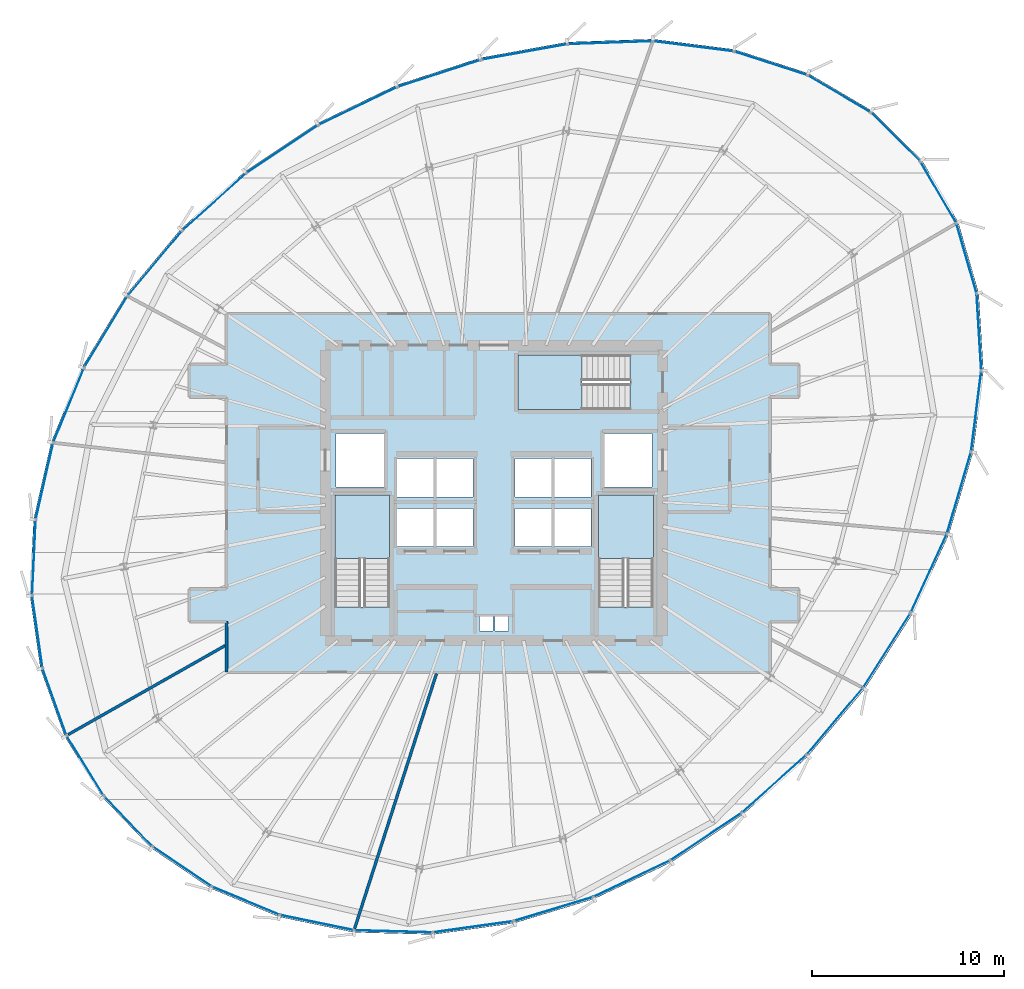
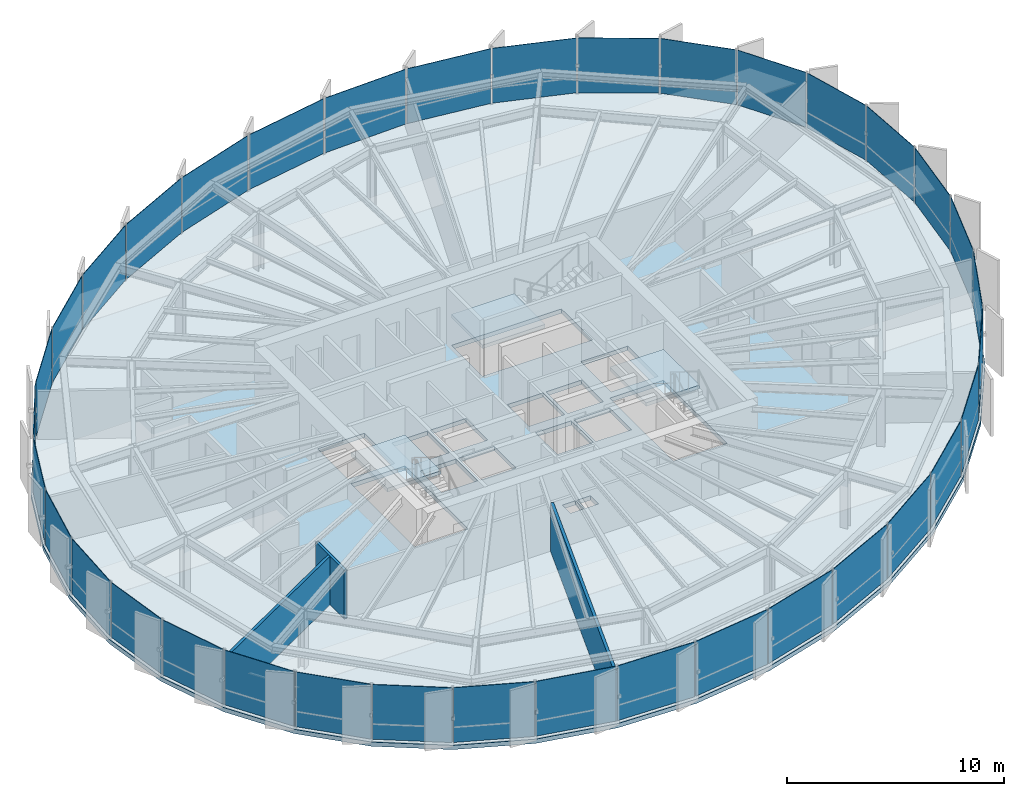
# One storey, part 28 of 34: 36 plates, 4 slabs, 3 walls, 9 elements without a shape of their own.
"""IFC4 building model written with IfcOpenShell, lengths in metres."""

from ifc_helpers import new_model, si_unit, direction, frame, frame_2d, origin, origin_2d, place, context, subcontext, project, spatial, polyline, rectangle, outline, extrude, source, transform, mapped, material, layer, layer_set, type_object, element, aggregate, save


model = new_model("IFC4")

# Units and contexts
model_context = context("Model", 3, precision=1e-05, world=origin(), true_north=direction((0.0, 1.0)))
body_context = subcontext(model_context, "Body", "Model", "MODEL_VIEW")
ifc_project = project(units=[si_unit("LENGTHUNIT", "METRE"), si_unit("AREAUNIT", "SQUARE_METRE"), si_unit("VOLUMEUNIT", "CUBIC_METRE"), si_unit("PLANEANGLEUNIT", "RADIAN"), si_unit("MASSUNIT", "GRAM", prefix="KILO"), si_unit("THERMODYNAMICTEMPERATUREUNIT", "KELVIN")], contexts=[model_context])

# Site, building, storey
site_placement = place(None, origin())
site = spatial("IfcSite", under=ifc_project, at=site_placement, CompositionType="ELEMENT")
building_placement = place(site_placement, origin())
building = spatial("IfcBuilding", under=site, at=building_placement, Name="Kethvar Cultural Tower", CompositionType="ELEMENT")
storey_placement = place(building_placement, frame((0.0, 0.0, 186.89990234375)))
storey = spatial("IfcBuildingStorey", under=building, at=storey_placement, Name="L48", CompositionType="ELEMENT", Elevation=186.89990234375)

# Stair, slab
ifc_material_1 = material(Name="Concrete C40/50", Category="concrete")
stair_type = type_object("IfcStairType", Name="ST-DOGLEG-135", PredefinedType="HALF_TURN_STAIR", material=ifc_material_1)
stair_1_placement = place(storey_placement, origin())
stair_1 = element("IfcStair", 1, at=stair_1_placement, inside=storey, type_object=stair_type, Name="L48 Core Exit Stair 1", PredefinedType="HALF_TURN_STAIR")
ifc_layer_1 = layer(ifc_material_1, 0.199951171875, Name="Concrete C40/50", Category="concrete")
ifc_layer_set_1 = layer_set([ifc_layer_1], Name="Concrete C40/50 (200 mm)")
slab_type_1 = type_object("IfcSlabType", Name="SL-STAIR-LANDING-200", PredefinedType="LANDING", material=ifc_layer_set_1)
slab_1_placement = place(storey_placement, frame((0.0, 0.0, 1.550048828125)))
slab_1 = element("IfcSlab", 2, at=slab_1_placement, type_object=slab_type_1, Name="ST-01 landing 1", PredefinedType="LANDING", context=body_context, shape_type="SweptSolid", body=[
    extrude(outline(polyline([(41.35009765625, 24.3701171875), (41.35009765625, 27.699951171875), (38.489990234375, 27.699951171875), (38.489990234375, 24.3701171875), (41.35009765625, 24.3701171875)])), origin(), (0.0, 0.0, 1.0), 0.199951171875),
])
aggregate(stair_1, [slab_1])

stair_2_placement = place(storey_placement, origin())
stair_2 = element("IfcStair", 3, at=stair_2_placement, inside=storey, type_object=stair_type, Name="L48 Core Exit Stair 2", PredefinedType="HALF_TURN_STAIR")
slab_2_placement = place(storey_placement, frame((0.0, 0.0, 1.550048828125)))
slab_2 = element("IfcSlab", 4, at=slab_2_placement, type_object=slab_type_1, Name="ST-02 landing 1", PredefinedType="LANDING", context=body_context, shape_type="SweptSolid", body=[
    extrude(outline(polyline([(55.110107421875, 24.3701171875), (55.110107421875, 27.699951171875), (52.25, 27.699951171875), (52.25, 24.3701171875), (55.110107421875, 24.3701171875)])), origin(), (0.0, 0.0, 1.0), 0.199951171875),
])
aggregate(stair_2, [slab_2])

stair_3_placement = place(storey_placement, origin())
stair_3 = element("IfcStair", 5, at=stair_3_placement, inside=storey, type_object=stair_type, Name="L48 Core Exit Stair 3", PredefinedType="HALF_TURN_STAIR")
slab_3_placement = place(storey_placement, frame((0.0, 0.0, 1.550048828125)))
slab_3 = element("IfcSlab", 6, at=slab_3_placement, type_object=slab_type_1, Name="ST-03 landing 1", PredefinedType="LANDING", context=body_context, shape_type="SweptSolid", body=[
    extrude(outline(polyline([(51.3798828125, 35.010009765625), (48.050048828125, 35.010009765625), (48.050048828125, 32.14990234375), (51.3798828125, 32.14990234375), (51.3798828125, 35.010009765625)])), origin(), (0.0, 0.0, 1.0), 0.199951171875),
])
aggregate(stair_3, [slab_3])

# Slab
ifc_layer_2 = layer(ifc_material_1, 0.239990234375, Name="Concrete C40/50", Category="concrete")
ifc_layer_set_2 = layer_set([ifc_layer_2], Name="Concrete C40/50 (240 mm)")
slab_type_2 = type_object("IfcSlabType", Name="SL-TOW-240", PredefinedType="FLOOR", material=ifc_layer_set_2)
slab_4_placement = place(storey_placement, frame((0.0, 0.0, -0.239990234375)))
element("IfcSlab", 7, at=slab_4_placement, inside=storey, type_object=slab_type_2, Name="L48 Structural Floor Slab", PredefinedType="FLOOR", context=body_context, shape_type="SweptSolid", body=[
    extrude(outline(polyline([(69.14599609375, 45.13330078125), (66.506103515625, 47.748291015625), (63.192138671875, 49.69873046875), (59.331787109375, 50.946044921875), (55.080810546875, 51.482666015625), (50.61181640625, 51.32568359375), (46.0986328125, 50.509521484375), (41.70458984375, 49.0791015625), (37.56884765625, 47.08251953125), (33.79638671875, 44.564208984375), (30.44287109375, 41.554931640625), (27.586181640625, 38.1279296875), (25.313720703125, 34.386962890625), (23.69384765625, 30.44580078125), (22.77587890625, 26.424560546875), (22.588134765625, 22.44482421875), (23.135986328125, 18.6279296875), (24.40283203125, 15.089599609375), (26.35009765625, 11.9375), (28.9189453125, 9.267578125), (32.031005859375, 7.160400390625), (35.591796875, 5.6806640625), (39.4931640625, 4.872802734375), (43.616455078125, 4.76171875), (47.836669921875, 5.3505859375), (52.025146484375, 6.62158203125), (56.054931640625, 8.535888671875), (59.8037109375, 11.035888671875), (63.180908203125, 14.0634765625), (66.143310546875, 17.57275390625), (68.62158203125, 21.472900390625), (70.534423828125, 25.641357421875), (71.798095703125, 29.930908203125), (72.33544921875, 34.181884765625), (72.08740234375, 38.231201171875), (71.022216796875, 41.926025390625), (69.14599609375, 45.13330078125)]), holes=[polyline([(38.489990234375, 21.85009765625), (38.489990234375, 27.699951171875), (41.35009765625, 27.699951171875), (41.35009765625, 21.85009765625), (38.489990234375, 21.85009765625)]), polyline([(52.25, 21.85009765625), (52.25, 27.699951171875), (55.110107421875, 27.699951171875), (55.110107421875, 21.85009765625), (52.25, 21.85009765625)]), polyline([(53.89990234375, 32.14990234375), (48.050048828125, 32.14990234375), (48.050048828125, 35.010009765625), (53.89990234375, 35.010009765625), (53.89990234375, 32.14990234375)]), polyline([(41.75, 27.0), (43.64990234375, 27.0), (43.64990234375, 25.0), (41.75, 25.0), (41.75, 27.0)]), polyline([(43.800048828125, 27.0), (45.699951171875, 27.0), (45.699951171875, 25.0), (43.800048828125, 25.0), (43.800048828125, 27.0)]), polyline([(47.89990234375, 27.0), (49.800048828125, 27.0), (49.800048828125, 25.0), (47.89990234375, 25.0), (47.89990234375, 27.0)]), polyline([(49.949951171875, 27.0), (51.85009765625, 27.0), (51.85009765625, 25.0), (49.949951171875, 25.0), (49.949951171875, 27.0)]), polyline([(41.75, 29.60009765625), (43.64990234375, 29.60009765625), (43.64990234375, 27.60009765625), (41.75, 27.60009765625), (41.75, 29.60009765625)]), polyline([(43.800048828125, 29.60009765625), (45.699951171875, 29.60009765625), (45.699951171875, 27.60009765625), (43.800048828125, 27.60009765625), (43.800048828125, 29.60009765625)]), polyline([(47.89990234375, 29.60009765625), (49.800048828125, 29.60009765625), (49.800048828125, 27.60009765625), (47.89990234375, 27.60009765625), (47.89990234375, 29.60009765625)]), polyline([(49.949951171875, 29.60009765625), (51.85009765625, 29.60009765625), (51.85009765625, 27.60009765625), (49.949951171875, 27.60009765625), (49.949951171875, 29.60009765625)]), polyline([(38.550048828125, 30.89990234375), (41.050048828125, 30.89990234375), (41.050048828125, 28.10009765625), (38.550048828125, 28.10009765625), (38.550048828125, 30.89990234375)]), polyline([(52.550048828125, 30.89990234375), (55.050048828125, 30.89990234375), (55.050048828125, 28.10009765625), (52.550048828125, 28.10009765625), (52.550048828125, 30.89990234375)]), polyline([(46.050048828125, 21.35009765625), (46.75, 21.35009765625), (46.75, 20.60009765625), (46.050048828125, 20.60009765625), (46.050048828125, 21.35009765625)]), polyline([(46.85009765625, 21.35009765625), (47.550048828125, 21.35009765625), (47.550048828125, 20.60009765625), (46.85009765625, 20.60009765625), (46.85009765625, 21.35009765625)])]), origin(), (0.0, 0.0, 1.0), 0.239990234375),
])

# Curtain wall, plate
ifc_material_2 = material(Name="Aluminium 6063-T6", Category="aluminium")
ifc_layer_3 = layer(ifc_material_2, 0.179931640625, Name="Aluminium 6063-T6", Category="aluminium")
ifc_layer_set_3 = layer_set([ifc_layer_3], Name="Aluminium 6063-T6 (180 mm)")
curtain_wall_type = type_object("IfcCurtainWallType", Name="CW-SYS-04-Z34", PredefinedType="NOTDEFINED", material=ifc_layer_set_3)
curtain_wall_1_placement = place(storey_placement, origin())
curtain_wall_1 = element("IfcCurtainWall", 8, at=curtain_wall_1_placement, inside=storey, type_object=curtain_wall_type, Name="L48 Curtain Wall Run 06", PredefinedType="NOTDEFINED")
ifc_material_3 = material(Name="Insulated Low-E Solar Glass", Category="glass")
ifc_layer_4 = layer(ifc_material_3, 0.030029296875, Name="Insulated Low-E Solar Glass", Category="glass")
ifc_layer_set_4 = layer_set([ifc_layer_4], Name="Insulated Low-E Solar Glass (30 mm)")
plate_type = type_object("IfcPlateType", Name="CW-SYS-04-Z34-PNL", PredefinedType="CURTAIN_PANEL", material=ifc_layer_set_4)
shared_shape_1 = source(origin(), body_context, "Body", "SweptSolid", [
    extrude(rectangle(XDim=4.1982421875, YDim=0.030029296875, at=origin_2d()), origin(), (0.0, 0.0, 1.0), 3.080078125),
])
plate_1_placement = place(storey_placement, frame((71.95751953125, 32.0703125, 0.090087890625), z_axis=(0.0, 0.0, 1.0), x_axis=(0.125419811427, 0.992103760149, 0.0)))
plate_1 = element("IfcPlate", 9, at=plate_1_placement, type_object=plate_type, Name="CW-L48-R06 Vision Glazing Panel 3", PredefinedType="CURTAIN_PANEL", context=body_context, shape_type="MappedRepresentation", body=[
    mapped(shared_shape_1, transform((0.0, 0.0, 0.0), scale=1.0)),
])

curtain_wall_2_placement = place(storey_placement, origin())
curtain_wall_2 = element("IfcCurtainWall", 10, at=curtain_wall_2_placement, inside=storey, type_object=curtain_wall_type, Name="L48 Curtain Wall Run 01", PredefinedType="NOTDEFINED")
shared_shape_2 = source(origin(), body_context, "Body", "SweptSolid", [
    extrude(rectangle(XDim=3.62939453125, YDim=0.030029296875, at=origin_2d()), origin(), (0.0, 0.0, 1.0), 3.080078125),
])
plate_2_placement = place(storey_placement, frame((67.748779296875, 46.36279296875, 0.090087890625), z_axis=(0.0, 0.0, 1.0), x_axis=(-0.710467928018, 0.703729581059, 0.0)))
plate_2 = element("IfcPlate", 11, at=plate_2_placement, type_object=plate_type, Name="CW-L48-R01 Vision Glazing Panel 1", PredefinedType="CURTAIN_PANEL", context=body_context, shape_type="MappedRepresentation", body=[
    mapped(shared_shape_2, transform((0.0, 0.0, 0.0), scale=1.0)),
])

# Plate
plate_3_placement = place(storey_placement, frame((69.9892578125, 43.47412109375, 0.090087890625), z_axis=(0.0, 0.0, 1.0), x_axis=(-0.504934433349, 0.863157701709, 0.0)))
plate_3 = element("IfcPlate", 12, at=plate_3_placement, type_object=plate_type, Name="CW-L48-R06 Vision Glazing Panel 6", PredefinedType="CURTAIN_PANEL", context=body_context, shape_type="MappedRepresentation", body=[
    mapped(shared_shape_2, transform((0.0, 0.0, 0.0), scale=1.0)),
])

shared_shape_3 = source(origin(), body_context, "Body", "SweptSolid", [
    extrude(rectangle(XDim=3.759033203125, YDim=0.030029296875, at=origin_2d()), origin(), (0.0, 0.0, 1.0), 3.080078125),
])
plate_4_placement = place(storey_placement, frame((64.79345703125, 48.628662109375, 0.090087890625), z_axis=(0.0, 0.0, 1.0), x_axis=(-0.861823977661, 0.507207483707, 0.0)))
plate_4 = element("IfcPlate", 13, at=plate_4_placement, type_object=plate_type, Name="CW-L48-R01 Vision Glazing Panel 2", PredefinedType="CURTAIN_PANEL", context=body_context, shape_type="MappedRepresentation", body=[
    mapped(shared_shape_3, transform((0.0, 0.0, 0.0), scale=1.0)),
])

shared_shape_4 = source(origin(), body_context, "Body", "SweptSolid", [
    extrude(rectangle(XDim=3.970458984375, YDim=0.030029296875, at=origin_2d()), origin(), (0.0, 0.0, 1.0), 3.080078125),
])
plate_5_placement = place(storey_placement, frame((61.228271484375, 50.2177734375, 0.090087890625), z_axis=(0.0, 0.0, 1.0), x_axis=(-0.951556846083, 0.307472874694, 0.0)))
plate_5 = element("IfcPlate", 14, at=plate_5_placement, type_object=plate_type, Name="CW-L48-R01 Vision Glazing Panel 3", PredefinedType="CURTAIN_PANEL", context=body_context, shape_type="MappedRepresentation", body=[
    mapped(shared_shape_4, transform((0.0, 0.0, 0.0), scale=1.0)),
])

shared_shape_5 = source(origin(), body_context, "Body", "SweptSolid", [
    extrude(rectangle(XDim=4.198486328125, YDim=0.030029296875, at=origin_2d()), origin(), (0.0, 0.0, 1.0), 3.080078125),
])
plate_6_placement = place(storey_placement, frame((57.1923828125, 51.105224609375, 0.090087890625), z_axis=(0.0, 0.0, 1.0), x_axis=(-0.99212782074, 0.125229338869, 0.0)))
plate_6 = element("IfcPlate", 15, at=plate_6_placement, type_object=plate_type, Name="CW-L48-R01 Vision Glazing Panel 4", PredefinedType="CURTAIN_PANEL", context=body_context, shape_type="MappedRepresentation", body=[
    mapped(shared_shape_5, transform((0.0, 0.0, 0.0), scale=1.0)),
])

shared_shape_6 = source(origin(), body_context, "Body", "SweptSolid", [
    extrude(rectangle(XDim=4.385498046875, YDim=0.030029296875, at=origin_2d()), origin(), (0.0, 0.0, 1.0), 3.080078125),
])
plate_7_placement = place(storey_placement, frame((52.85009765625, 51.294189453125, 0.090087890625), z_axis=(0.0, 0.0, 1.0), x_axis=(-0.99938288285, -0.035126250388, 0.0)))
plate_7 = element("IfcPlate", 16, at=plate_7_placement, type_object=plate_type, Name="CW-L48-R01 Vision Glazing Panel 5", PredefinedType="CURTAIN_PANEL", context=body_context, shape_type="MappedRepresentation", body=[
    mapped(shared_shape_6, transform((0.0, 0.0, 0.0), scale=1.0)),
])

plate_8_placement = place(storey_placement, frame((71.060791015625, 27.817138671875, 0.090087890625), z_axis=(0.0, 0.0, 1.0), x_axis=(0.28255911101, 0.959249888603, 0.0)))
plate_8 = element("IfcPlate", 17, at=plate_8_placement, type_object=plate_type, Name="CW-L48-R06 Vision Glazing Panel 2", PredefinedType="CURTAIN_PANEL", context=body_context, shape_type="MappedRepresentation", body=[
    mapped(shared_shape_6, transform((0.0, 0.0, 0.0), scale=1.0)),
])

shared_shape_7 = source(origin(), body_context, "Body", "SweptSolid", [
    extrude(rectangle(XDim=4.5, YDim=0.030029296875, at=origin_2d()), origin(), (0.0, 0.0, 1.0), 3.080078125),
])
plate_9_placement = place(storey_placement, frame((48.374755859375, 50.809326171875, 0.090087890625), z_axis=(0.0, 0.0, 1.0), x_axis=(-0.984040697646, -0.177943545474, 0.0)))
plate_9 = element("IfcPlate", 18, at=plate_9_placement, type_object=plate_type, Name="CW-L48-R01 Vision Glazing Panel 6", PredefinedType="CURTAIN_PANEL", context=body_context, shape_type="MappedRepresentation", body=[
    mapped(shared_shape_7, transform((0.0, 0.0, 0.0), scale=1.0)),
])

aggregate(curtain_wall_2, [plate_2, plate_4, plate_5, plate_6, plate_7, plate_9])

plate_10_placement = place(storey_placement, frame((69.47802734375, 23.60302734375, 0.090087890625), z_axis=(0.0, 0.0, 1.0), x_axis=(0.417074091841, 0.90887248936, 0.0)))
plate_10 = element("IfcPlate", 19, at=plate_10_placement, type_object=plate_type, Name="CW-L48-R06 Vision Glazing Panel 1", PredefinedType="CURTAIN_PANEL", context=body_context, shape_type="MappedRepresentation", body=[
    mapped(shared_shape_7, transform((0.0, 0.0, 0.0), scale=1.0)),
])

# Curtain wall, plate
curtain_wall_3_placement = place(storey_placement, origin())
curtain_wall_3 = element("IfcCurtainWall", 20, at=curtain_wall_3_placement, inside=storey, type_object=curtain_wall_type, Name="L48 Curtain Wall Run 02", PredefinedType="NOTDEFINED")
shared_shape_8 = source(origin(), body_context, "Body", "SweptSolid", [
    extrude(rectangle(XDim=4.53466796875, YDim=0.030029296875, at=origin_2d()), origin(), (0.0, 0.0, 1.0), 3.080078125),
])
plate_11_placement = place(storey_placement, frame((43.935546875, 49.689697265625, 0.090087890625), z_axis=(0.0, 0.0, 1.0), x_axis=(-0.950889182815, -0.309531520214, 0.0)))
plate_11 = element("IfcPlate", 21, at=plate_11_placement, type_object=plate_type, Name="CW-L48-R02 Vision Glazing Panel 1", PredefinedType="CURTAIN_PANEL", context=body_context, shape_type="MappedRepresentation", body=[
    mapped(shared_shape_8, transform((0.0, 0.0, 0.0), scale=1.0)),
])

curtain_wall_4_placement = place(storey_placement, origin())
curtain_wall_4 = element("IfcCurtainWall", 22, at=curtain_wall_4_placement, inside=storey, type_object=curtain_wall_type, Name="L48 Curtain Wall Run 05", PredefinedType="NOTDEFINED")
plate_12_placement = place(storey_placement, frame((67.28955078125, 19.581787109375, 0.090087890625), z_axis=(0.0, 0.0, 1.0), x_axis=(0.536283541899, 0.844037891737, 0.0)))
plate_12 = element("IfcPlate", 23, at=plate_12_placement, type_object=plate_type, Name="CW-L48-R05 Vision Glazing Panel 6", PredefinedType="CURTAIN_PANEL", context=body_context, shape_type="MappedRepresentation", body=[
    mapped(shared_shape_8, transform((0.0, 0.0, 0.0), scale=1.0)),
])

# Plate
shared_shape_9 = source(origin(), body_context, "Body", "SweptSolid", [
    extrude(rectangle(XDim=4.506103515625, YDim=0.030029296875, at=origin_2d()), origin(), (0.0, 0.0, 1.0), 3.080078125),
])
plate_13_placement = place(storey_placement, frame((39.684326171875, 47.981689453125, 0.090087890625), z_axis=(0.0, 0.0, 1.0), x_axis=(-0.900546534449, -0.434759633927, 0.0)))
plate_13 = element("IfcPlate", 24, at=plate_13_placement, type_object=plate_type, Name="CW-L48-R02 Vision Glazing Panel 2", PredefinedType="CURTAIN_PANEL", context=body_context, shape_type="MappedRepresentation", body=[
    mapped(shared_shape_9, transform((0.0, 0.0, 0.0), scale=1.0)),
])

plate_14_placement = place(storey_placement, frame((64.578125, 15.88916015625, 0.090087890625), z_axis=(0.0, 0.0, 1.0), x_axis=(0.645057676599, 0.764133884775, 0.0)))
plate_14 = element("IfcPlate", 25, at=plate_14_placement, type_object=plate_type, Name="CW-L48-R05 Vision Glazing Panel 5", PredefinedType="CURTAIN_PANEL", context=body_context, shape_type="MappedRepresentation", body=[
    mapped(shared_shape_9, transform((0.0, 0.0, 0.0), scale=1.0)),
])

shared_shape_10 = source(origin(), body_context, "Body", "SweptSolid", [
    extrude(rectangle(XDim=4.44921875, YDim=0.030029296875, at=origin_2d()), origin(), (0.0, 0.0, 1.0), 3.080078125),
])
plate_15_placement = place(storey_placement, frame((35.74365234375, 45.731689453125, 0.090087890625), z_axis=(0.0, 0.0, 1.0), x_axis=(-0.83171194639, -0.555207383086, 0.0)))
plate_15 = element("IfcPlate", 26, at=plate_15_placement, type_object=plate_type, Name="CW-L48-R02 Vision Glazing Panel 3", PredefinedType="CURTAIN_PANEL", context=body_context, shape_type="MappedRepresentation", body=[
    mapped(shared_shape_10, transform((0.0, 0.0, 0.0), scale=1.0)),
])

shared_shape_11 = source(origin(), body_context, "Body", "SweptSolid", [
    extrude(rectangle(XDim=4.41943359375, YDim=0.030029296875, at=origin_2d()), origin(), (0.0, 0.0, 1.0), 3.080078125),
])
plate_16_placement = place(storey_placement, frame((32.193115234375, 42.977783203125, 0.090087890625), z_axis=(0.0, 0.0, 1.0), x_axis=(-0.744288234024, -0.667858536438, 0.0)))
plate_16 = element("IfcPlate", 27, at=plate_16_placement, type_object=plate_type, Name="CW-L48-R02 Vision Glazing Panel 4", PredefinedType="CURTAIN_PANEL", context=body_context, shape_type="MappedRepresentation", body=[
    mapped(shared_shape_11, transform((0.0, 0.0, 0.0), scale=1.0)),
])

shared_shape_12 = source(origin(), body_context, "Body", "SweptSolid", [
    extrude(rectangle(XDim=4.375, YDim=0.030029296875, at=origin_2d()), origin(), (0.0, 0.0, 1.0), 3.080078125),
])
plate_17_placement = place(storey_placement, frame((29.09912109375, 39.77099609375, 0.090087890625), z_axis=(0.0, 0.0, 1.0), x_axis=(-0.640257187535, -0.768160617195, 0.0)))
plate_17 = element("IfcPlate", 28, at=plate_17_placement, type_object=plate_type, Name="CW-L48-R02 Vision Glazing Panel 5", PredefinedType="CURTAIN_PANEL", context=body_context, shape_type="MappedRepresentation", body=[
    mapped(shared_shape_12, transform((0.0, 0.0, 0.0), scale=1.0)),
])

plate_18_placement = place(storey_placement, frame((53.992919921875, 7.677978515625, 0.090087890625), z_axis=(0.0, 0.0, 1.0), x_axis=(0.903245437087, 0.429124318095, 0.0)))
plate_18 = element("IfcPlate", 29, at=plate_18_placement, type_object=plate_type, Name="CW-L48-R05 Vision Glazing Panel 2", PredefinedType="CURTAIN_PANEL", context=body_context, shape_type="MappedRepresentation", body=[
    mapped(shared_shape_12, transform((0.0, 0.0, 0.0), scale=1.0)),
])

shared_shape_13 = source(origin(), body_context, "Body", "SweptSolid", [
    extrude(rectangle(XDim=4.290771484375, YDim=0.030029296875, at=origin_2d()), origin(), (0.0, 0.0, 1.0), 3.080078125),
])
plate_19_placement = place(storey_placement, frame((26.5439453125, 36.200439453125, 0.090087890625), z_axis=(0.0, 0.0, 1.0), x_axis=(-0.519220817836, -0.854640124453, 0.0)))
plate_19 = element("IfcPlate", 30, at=plate_19_placement, type_object=plate_type, Name="CW-L48-R02 Vision Glazing Panel 6", PredefinedType="CURTAIN_PANEL", context=body_context, shape_type="MappedRepresentation", body=[
    mapped(shared_shape_13, transform((0.0, 0.0, 0.0), scale=1.0)),
])

aggregate(curtain_wall_3, [plate_11, plate_13, plate_15, plate_16, plate_17, plate_19])

plate_20_placement = place(storey_placement, frame((49.89892578125, 6.09130859375, 0.090087890625), z_axis=(0.0, 0.0, 1.0), x_axis=(0.956914999972, 0.290368184947, 0.0)))
plate_20 = element("IfcPlate", 31, at=plate_20_placement, type_object=plate_type, Name="CW-L48-R05 Vision Glazing Panel 1", PredefinedType="CURTAIN_PANEL", context=body_context, shape_type="MappedRepresentation", body=[
    mapped(shared_shape_13, transform((0.0, 0.0, 0.0), scale=1.0)),
])

# Curtain wall, plate
curtain_wall_5_placement = place(storey_placement, origin())
curtain_wall_5 = element("IfcCurtainWall", 32, at=curtain_wall_5_placement, inside=storey, type_object=curtain_wall_type, Name="L48 Curtain Wall Run 03", PredefinedType="NOTDEFINED")
shared_shape_14 = source(origin(), body_context, "Body", "SweptSolid", [
    extrude(rectangle(XDim=4.174560546875, YDim=0.030029296875, at=origin_2d()), origin(), (0.0, 0.0, 1.0), 3.080078125),
])
plate_21_placement = place(storey_placement, frame((24.60546875, 32.37451171875, 0.090087890625), z_axis=(0.0, 0.0, 1.0), x_axis=(-0.380150414704, -0.924924679204, 0.0)))
plate_21 = element("IfcPlate", 33, at=plate_21_placement, type_object=plate_type, Name="CW-L48-R03 Vision Glazing Panel 1", PredefinedType="CURTAIN_PANEL", context=body_context, shape_type="MappedRepresentation", body=[
    mapped(shared_shape_14, transform((0.0, 0.0, 0.0), scale=1.0)),
])

curtain_wall_6_placement = place(storey_placement, origin())
curtain_wall_6 = element("IfcCurtainWall", 34, at=curtain_wall_6_placement, inside=storey, type_object=curtain_wall_type, Name="L48 Curtain Wall Run 04", PredefinedType="NOTDEFINED")
plate_22_placement = place(storey_placement, frame((45.711181640625, 5.1650390625, 0.090087890625), z_axis=(0.0, 0.0, 1.0), x_axis=(0.990406033328, 0.138187876271, 0.0)))
plate_22 = element("IfcPlate", 35, at=plate_22_placement, type_object=plate_type, Name="CW-L48-R04 Vision Glazing Panel 6", PredefinedType="CURTAIN_PANEL", context=body_context, shape_type="MappedRepresentation", body=[
    mapped(shared_shape_14, transform((0.0, 0.0, 0.0), scale=1.0)),
])

# Plate
shared_shape_15 = source(origin(), body_context, "Body", "SweptSolid", [
    extrude(rectangle(XDim=4.038330078125, YDim=0.030029296875, at=origin_2d()), origin(), (0.0, 0.0, 1.0), 3.080078125),
])
plate_23_placement = place(storey_placement, frame((23.34228515625, 28.41064453125, 0.090087890625), z_axis=(0.0, 0.0, 1.0), x_axis=(-0.222501487395, -0.974932350528, 0.0)))
plate_23 = element("IfcPlate", 36, at=plate_23_placement, type_object=plate_type, Name="CW-L48-R03 Vision Glazing Panel 2", PredefinedType="CURTAIN_PANEL", context=body_context, shape_type="MappedRepresentation", body=[
    mapped(shared_shape_15, transform((0.0, 0.0, 0.0), scale=1.0)),
])

shared_shape_16 = source(origin(), body_context, "Body", "SweptSolid", [
    extrude(rectangle(XDim=3.897705078125, YDim=0.030029296875, at=origin_2d()), origin(), (0.0, 0.0, 1.0), 3.080078125),
])
plate_24_placement = place(storey_placement, frame((22.7919921875, 24.429443359375, 0.090087890625), z_axis=(0.0, 0.0, 1.0), x_axis=(-0.047141318515, -0.998888230028, 0.0)))
plate_24 = element("IfcPlate", 37, at=plate_24_placement, type_object=plate_type, Name="CW-L48-R03 Vision Glazing Panel 3", PredefinedType="CURTAIN_PANEL", context=body_context, shape_type="MappedRepresentation", body=[
    mapped(shared_shape_16, transform((0.0, 0.0, 0.0), scale=1.0)),
])

plate_25_placement = place(storey_placement, frame((37.564697265625, 5.384521484375, 0.090087890625), z_axis=(0.0, 0.0, 1.0), x_axis=(0.979229888637, -0.202753113909, 0.0)))
plate_25 = element("IfcPlate", 38, at=plate_25_placement, type_object=plate_type, Name="CW-L48-R04 Vision Glazing Panel 4", PredefinedType="CURTAIN_PANEL", context=body_context, shape_type="MappedRepresentation", body=[
    mapped(shared_shape_16, transform((0.0, 0.0, 0.0), scale=1.0)),
])

shared_shape_17 = source(origin(), body_context, "Body", "SweptSolid", [
    extrude(rectangle(XDim=3.76953125, YDim=0.030029296875, at=origin_2d()), origin(), (0.0, 0.0, 1.0), 3.080078125),
])
plate_26_placement = place(storey_placement, frame((22.970947265625, 20.552001953125, 0.090087890625), z_axis=(0.0, 0.0, 1.0), x_axis=(0.142058839895, -0.989858215103, 0.0)))
plate_26 = element("IfcPlate", 39, at=plate_26_placement, type_object=plate_type, Name="CW-L48-R03 Vision Glazing Panel 4", PredefinedType="CURTAIN_PANEL", context=body_context, shape_type="MappedRepresentation", body=[
    mapped(shared_shape_17, transform((0.0, 0.0, 0.0), scale=1.0)),
])

shared_shape_18 = source(origin(), body_context, "Body", "SweptSolid", [
    extrude(rectangle(XDim=3.671875, YDim=0.030029296875, at=origin_2d()), origin(), (0.0, 0.0, 1.0), 3.080078125),
])
plate_27_placement = place(storey_placement, frame((23.873046875, 16.89599609375, 0.090087890625), z_axis=(0.0, 0.0, 1.0), x_axis=(0.337095258423, -0.941470544812, 0.0)))
plate_27 = element("IfcPlate", 40, at=plate_27_placement, type_object=plate_type, Name="CW-L48-R03 Vision Glazing Panel 5", PredefinedType="CURTAIN_PANEL", context=body_context, shape_type="MappedRepresentation", body=[
    mapped(shared_shape_18, transform((0.0, 0.0, 0.0), scale=1.0)),
])

plate_28_placement = place(storey_placement, frame((30.53662109375, 8.30517578125, 0.090087890625), z_axis=(0.0, 0.0, 1.0), x_axis=(0.828060334622, -0.560638994563, 0.0)))
plate_28 = element("IfcPlate", 41, at=plate_28_placement, type_object=plate_type, Name="CW-L48-R04 Vision Glazing Panel 2", PredefinedType="CURTAIN_PANEL", context=body_context, shape_type="MappedRepresentation", body=[
    mapped(shared_shape_18, transform((0.0, 0.0, 0.0), scale=1.0)),
])

shared_shape_19 = source(origin(), body_context, "Body", "SweptSolid", [
    extrude(rectangle(XDim=3.61865234375, YDim=0.030029296875, at=origin_2d()), origin(), (0.0, 0.0, 1.0), 3.080078125),
])
plate_29_placement = place(storey_placement, frame((25.47021484375, 13.5712890625, 0.090087890625), z_axis=(0.0, 0.0, 1.0), x_axis=(0.525575593337, -0.850746904601, 0.0)))
plate_29 = element("IfcPlate", 42, at=plate_29_placement, type_object=plate_type, Name="CW-L48-R03 Vision Glazing Panel 6", PredefinedType="CURTAIN_PANEL", context=body_context, shape_type="MappedRepresentation", body=[
    mapped(shared_shape_19, transform((0.0, 0.0, 0.0), scale=1.0)),
])

aggregate(curtain_wall_5, [plate_21, plate_23, plate_24, plate_26, plate_27, plate_29])

plate_30_placement = place(storey_placement, frame((27.7138671875, 10.6787109375, 0.090087890625), z_axis=(0.0, 0.0, 1.0), x_axis=(0.693313791176, -0.720635821317, 0.0)))
plate_30 = element("IfcPlate", 43, at=plate_30_placement, type_object=plate_type, Name="CW-L48-R04 Vision Glazing Panel 1", PredefinedType="CURTAIN_PANEL", context=body_context, shape_type="MappedRepresentation", body=[
    mapped(shared_shape_19, transform((0.0, 0.0, 0.0), scale=1.0)),
])

shared_shape_20 = source(origin(), body_context, "Body", "SweptSolid", [
    extrude(rectangle(XDim=3.769775390625, YDim=0.030029296875, at=origin_2d()), origin(), (0.0, 0.0, 1.0), 3.080078125),
])
plate_31_placement = place(storey_placement, frame((33.853515625, 6.522216796875, 0.090087890625), z_axis=(0.0, 0.0, 1.0), x_axis=(0.923424704112, -0.383779644895, 0.0)))
plate_31 = element("IfcPlate", 44, at=plate_31_placement, type_object=plate_type, Name="CW-L48-R04 Vision Glazing Panel 3", PredefinedType="CURTAIN_PANEL", context=body_context, shape_type="MappedRepresentation", body=[
    mapped(shared_shape_20, transform((0.0, 0.0, 0.0), scale=1.0)),
])

shared_shape_21 = source(origin(), body_context, "Body", "SweptSolid", [
    extrude(rectangle(XDim=4.03857421875, YDim=0.030029296875, at=origin_2d()), origin(), (0.0, 0.0, 1.0), 3.080078125),
])
plate_32_placement = place(storey_placement, frame((41.557861328125, 4.92724609375, 0.090087890625), z_axis=(0.0, 0.0, 1.0), x_axis=(0.999637397876, -0.026927175269, 0.0)))
plate_32 = element("IfcPlate", 45, at=plate_32_placement, type_object=plate_type, Name="CW-L48-R04 Vision Glazing Panel 5", PredefinedType="CURTAIN_PANEL", context=body_context, shape_type="MappedRepresentation", body=[
    mapped(shared_shape_21, transform((0.0, 0.0, 0.0), scale=1.0)),
])

aggregate(curtain_wall_6, [plate_30, plate_28, plate_31, plate_25, plate_32, plate_22])

shared_shape_22 = source(origin(), body_context, "Body", "SweptSolid", [
    extrude(rectangle(XDim=4.419189453125, YDim=0.030029296875, at=origin_2d()), origin(), (0.0, 0.0, 1.0), 3.080078125),
])
plate_33_placement = place(storey_placement, frame((57.868408203125, 9.87744140625, 0.090087890625), z_axis=(0.0, 0.0, 1.0), x_axis=(0.831973489348, 0.554815386433, 0.0)))
plate_33 = element("IfcPlate", 46, at=plate_33_placement, type_object=plate_type, Name="CW-L48-R05 Vision Glazing Panel 3", PredefinedType="CURTAIN_PANEL", context=body_context, shape_type="MappedRepresentation", body=[
    mapped(shared_shape_22, transform((0.0, 0.0, 0.0), scale=1.0)),
])

shared_shape_23 = source(origin(), body_context, "Body", "SweptSolid", [
    extrude(rectangle(XDim=4.449462890625, YDim=0.030029296875, at=origin_2d()), origin(), (0.0, 0.0, 1.0), 3.080078125),
])
plate_34_placement = place(storey_placement, frame((61.4189453125, 12.631591796875, 0.090087890625), z_axis=(0.0, 0.0, 1.0), x_axis=(0.744602872292, 0.66750772473, 0.0)))
plate_34 = element("IfcPlate", 47, at=plate_34_placement, type_object=plate_type, Name="CW-L48-R05 Vision Glazing Panel 4", PredefinedType="CURTAIN_PANEL", context=body_context, shape_type="MappedRepresentation", body=[
    mapped(shared_shape_23, transform((0.0, 0.0, 0.0), scale=1.0)),
])

aggregate(curtain_wall_4, [plate_20, plate_18, plate_33, plate_34, plate_14, plate_12])

shared_shape_24 = source(origin(), body_context, "Body", "SweptSolid", [
    extrude(rectangle(XDim=3.970703125, YDim=0.030029296875, at=origin_2d()), origin(), (0.0, 0.0, 1.0), 3.080078125),
])
plate_35_placement = place(storey_placement, frame((72.1015625, 36.199951171875, 0.090087890625), z_axis=(0.0, 0.0, 1.0), x_axis=(-0.061153063632, 0.998128399961, 0.0)))
plate_35 = element("IfcPlate", 48, at=plate_35_placement, type_object=plate_type, Name="CW-L48-R06 Vision Glazing Panel 4", PredefinedType="CURTAIN_PANEL", context=body_context, shape_type="MappedRepresentation", body=[
    mapped(shared_shape_24, transform((0.0, 0.0, 0.0), scale=1.0)),
])

shared_shape_25 = source(origin(), body_context, "Body", "SweptSolid", [
    extrude(rectangle(XDim=3.7587890625, YDim=0.030029296875, at=origin_2d()), origin(), (0.0, 0.0, 1.0), 3.080078125),
])
plate_36_placement = place(storey_placement, frame((71.44921875, 40.048095703125, 0.090087890625), z_axis=(0.0, 0.0, 1.0), x_axis=(-0.276962490731, 0.960880730751, 0.0)))
plate_36 = element("IfcPlate", 49, at=plate_36_placement, type_object=plate_type, Name="CW-L48-R06 Vision Glazing Panel 5", PredefinedType="CURTAIN_PANEL", context=body_context, shape_type="MappedRepresentation", body=[
    mapped(shared_shape_25, transform((0.0, 0.0, 0.0), scale=1.0)),
])

aggregate(curtain_wall_1, [plate_10, plate_8, plate_1, plate_35, plate_36, plate_3])

# Walls
ifc_material_4 = material(Name="Gypsum Fireboard Partition")
ifc_layer_5 = layer(ifc_material_4, 0.14990234375, Name="Gypsum Fireboard Partition")
ifc_layer_set_5 = layer_set([ifc_layer_5], Name="Gypsum Fireboard Partition (150 mm)")
wall_type_1 = type_object("IfcWallType", Name="WL-FIRE-150", PredefinedType="PARTITIONING", material=ifc_layer_set_5)
wall_1_placement = place(storey_placement, frame((32.85009765625, 21.10009765625, 0.0), z_axis=(0.0, 0.0, 1.0), x_axis=(0.0, -1.0, 0.0)))
element("IfcWall", 50, at=wall_1_placement, inside=storey, type_object=wall_type_1, Name="L48 Corridor Rated Wall W1", PredefinedType="PARTITIONING", context=body_context, shape_type="SweptSolid", body=[
    extrude(rectangle(XDim=2.650146484375, YDim=0.14990234375, at=frame_2d((1.3251953125, 0.0))), origin(), (0.0, 0.0, 1.0), 2.735107421875),
])
ifc_material_5 = material(Name="Gypsum Acoustic Partition")
ifc_layer_6 = layer(ifc_material_5, 0.14990234375, Name="Gypsum Acoustic Partition")
ifc_layer_set_6 = layer_set([ifc_layer_6], Name="Gypsum Acoustic Partition (150 mm)")
wall_type_2 = type_object("IfcWallType", Name="WL-PART-150", PredefinedType="PARTITIONING", material=ifc_layer_set_6)
wall_2_placement = place(storey_placement, frame((32.780517578125, 19.843994140625, 0.0), z_axis=(0.0, 0.0, 1.0), x_axis=(-0.869920293311, -0.493192339037, 0.0)))
element("IfcWall", 51, at=wall_2_placement, inside=storey, type_object=wall_type_2, Name="L48 Radial Partition Wall 01", PredefinedType="PARTITIONING", context=body_context, shape_type="SweptSolid", body=[
    extrude(rectangle(XDim=9.422607421875, YDim=0.14990234375, at=frame_2d((4.71142578125, 0.0))), origin(), (0.0, 0.0, 1.0), 2.735107421875),
])
wall_3_placement = place(storey_placement, frame((43.795654296875, 18.373779296875, 0.0), z_axis=(0.0, 0.0, 1.0), x_axis=(-0.305708093353, -0.952125286745, 0.0)))
element("IfcWall", 52, at=wall_3_placement, inside=storey, type_object=wall_type_2, Name="L48 Radial Partition Wall 02", PredefinedType="PARTITIONING", context=body_context, shape_type="SweptSolid", body=[
    extrude(rectangle(XDim=13.96435546875, YDim=0.14990234375, at=frame_2d((6.982177734375, 0.0))), origin(), (0.0, 0.0, 1.0), 2.735107421875),
])

save(model, "model.ifc")
